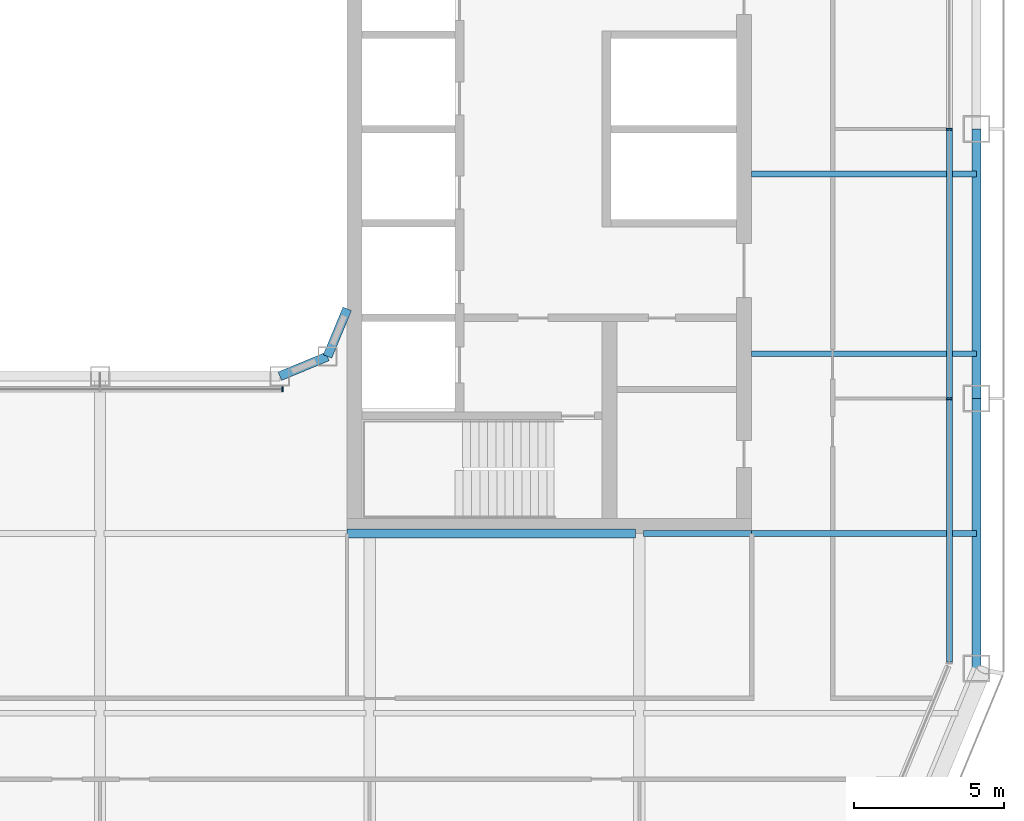
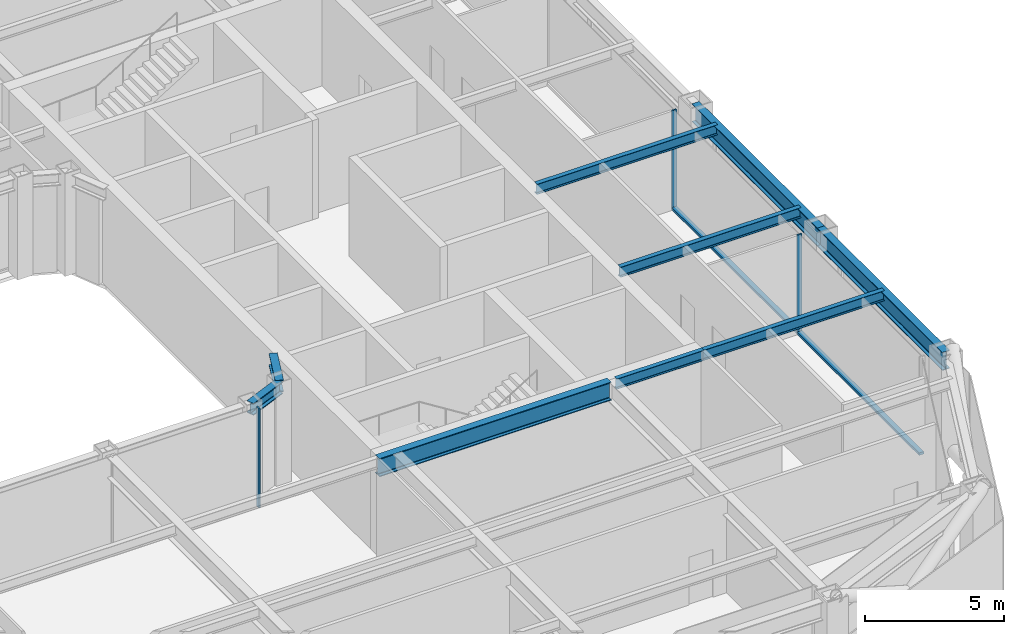
# One storey, part 5 of 23: 9 beams, 5 members, 2 elements without a shape of their own.
"""IFC4 building model written with IfcOpenShell, lengths in metres."""

import ifcopenshell
import ifcopenshell.guid

model = None  # the IFC model being written
_history = None  # IfcOwnerHistory: only IFC2X3 demands one
_inside = {}  # id of a spatial element -> (the spatial element, [elements in it])
_under = {}  # id of a project, library or spatial element -> (it, [spatial elements below it])
_declared = {}  # id of a project -> (the project, [libraries it declares])
_typed = {}  # id of a type object -> (the type object, [elements of that type])
_made_of = {}  # id of a material, layer set ... -> (it, [elements and type objects made of it])


def new_model(schema):
    """Start an empty IFC model of exactly this schema.

    Asked for "IFC4X3", IfcOpenShell would pick the latest addendum, in which some entities
    have other attributes; the version numbers below select the first issue.
    IFC2X3 requires an IfcOwnerHistory on every rooted entity: one is made here for all.
    """
    global model, _history
    if schema == "IFC4X3":
        model = ifcopenshell.file(schema_version=(4, 3, 0, 0))
    else:
        model = ifcopenshell.file(schema=schema)
    _inside.clear()
    _under.clear()
    _declared.clear()
    _typed.clear()
    _made_of.clear()
    _history = None
    if model.schema == "IFC2X3":
        org = make("IfcOrganization", Name="unknown")
        user = make(
            "IfcPersonAndOrganization",
            ThePerson=make("IfcPerson", FamilyName="unknown"),
            TheOrganization=org,
        )
        app = make(
            "IfcApplication",
            ApplicationDeveloper=org,
            Version="unknown",
            ApplicationFullName="unknown",
            ApplicationIdentifier="unknown",
        )
        _history = make(
            "IfcOwnerHistory",
            OwningUser=user,
            OwningApplication=app,
            ChangeAction="ADDED",
            CreationDate=0,
        )
    return model


def make(cls, **values):
    """One entity of the class cls with the attributes given. An attribute that is None is left unset."""
    return model.create_entity(
        cls, **{name: value for name, value in values.items() if value is not None}
    )


def rooted(cls, **values):
    """An entity with a GlobalId (a new one), such as an element, a storey or a relation."""
    return make(cls, GlobalId=ifcopenshell.guid.new(), OwnerHistory=_history, **values)


def si_unit(unit_type, name, prefix=None):
    """IfcSIUnit, for example si_unit("LENGTHUNIT", "METRE", prefix="MILLI")."""
    return make("IfcSIUnit", UnitType=unit_type, Prefix=prefix, Name=name)


def assignment(units):
    """IfcUnitAssignment: the units of a project."""
    return None if units is None else make("IfcUnitAssignment", Units=units)


def point(xyz):
    """IfcCartesianPoint."""
    return None if xyz is None else make("IfcCartesianPoint", Coordinates=xyz)


def direction(xyz):
    """IfcDirection."""
    return None if xyz is None else make("IfcDirection", DirectionRatios=xyz)


def frame(location, z_axis=None, x_axis=None):
    """IfcAxis2Placement3D, a coordinate frame: its origin and axes. An axis left out is left unset."""
    return make(
        "IfcAxis2Placement3D",
        Location=point(location),
        Axis=direction(z_axis),
        RefDirection=direction(x_axis),
    )


def frame_2d(location, x_axis=None):
    """IfcAxis2Placement2D, a coordinate frame in the plane: its origin and x axis."""
    return make(
        "IfcAxis2Placement2D", Location=point(location), RefDirection=direction(x_axis)
    )


def origin():
    """The frame at (0, 0, 0) with its axes left unset."""
    return frame((0.0, 0.0, 0.0))


def origin_2d():
    """The frame at (0, 0) in the plane with its x axis left unset."""
    return frame_2d((0.0, 0.0))


def place(relative_to, where):
    """IfcLocalPlacement: puts the frame where relative to a parent placement (None: the world)."""
    return make(
        "IfcLocalPlacement", PlacementRelTo=relative_to, RelativePlacement=where
    )


def context(
    kind, dimensions, precision=None, world=None, true_north=None, identifier=None
):
    """IfcGeometricRepresentationContext, for example the 3D "Model" context."""
    return make(
        "IfcGeometricRepresentationContext",
        ContextIdentifier=identifier,
        ContextType=kind,
        CoordinateSpaceDimension=dimensions,
        Precision=precision,
        WorldCoordinateSystem=world,
        TrueNorth=true_north,
    )


def subcontext(parent, identifier, kind, view, scale=None):
    """IfcGeometricRepresentationSubContext, for example "Body" below "Model"."""
    return make(
        "IfcGeometricRepresentationSubContext",
        ContextIdentifier=identifier,
        ContextType=kind,
        ParentContext=parent,
        TargetScale=scale,
        TargetView=view,
    )


def project(units=None, contexts=None):
    """IfcProject with its units and contexts."""
    return rooted(
        "IfcProject",
        Name="project",
        RepresentationContexts=contexts,
        UnitsInContext=assignment(units),
    )


def spatial(cls, under=None, at=None, **own):
    """A site, building, storey or space (cls), placed at a placement, below another one or the project."""
    s = rooted(cls, ObjectPlacement=at, **own)
    if under is not None:
        _under.setdefault(under.id(), (under, []))[1].append(s)
    return s


def profile(cls, at=None, kind="AREA", **sizes):
    """A parametric profile (cls). Its sizes go by their IFC names, for example OverallWidth=200.0."""
    return make(cls, ProfileType=kind, Position=at, **sizes)


def rectangle(**sizes):
    """IfcRectangleProfileDef."""
    return profile("IfcRectangleProfileDef", **sizes)


def i_section(**sizes):
    """IfcIShapeProfileDef."""
    return profile("IfcIShapeProfileDef", **sizes)


def extrude(swept, where, along, depth):
    """IfcExtrudedAreaSolid: the profile swept, set in the frame where, extruded along a direction by depth."""
    return make(
        "IfcExtrudedAreaSolid",
        SweptArea=swept,
        Position=where,
        ExtrudedDirection=direction(along),
        Depth=depth,
    )


def shape(context_of_items, identifier, shape_type, items):
    """IfcShapeRepresentation: the items that make up one representation, for example the "Body"."""
    return make(
        "IfcShapeRepresentation",
        ContextOfItems=context_of_items,
        RepresentationIdentifier=identifier,
        RepresentationType=shape_type,
        Items=items,
    )


def material(Name=None, Category=None):
    """IfcMaterial."""
    return make("IfcMaterial", Name=Name, Category=Category)


def layer(
    of_material, thickness, ventilated=None, Name=None, Category=None, Priority=None
):
    """IfcMaterialLayer: one layer of a wall or slab, of a material (None: an air gap)."""
    return make(
        "IfcMaterialLayer",
        Material=of_material,
        LayerThickness=thickness,
        IsVentilated=ventilated,
        Name=Name,
        Category=Category,
        Priority=Priority,
    )


def layer_set(layers, Name=None):
    """IfcMaterialLayerSet."""
    return make("IfcMaterialLayerSet", MaterialLayers=layers, LayerSetName=Name)


def material_profile(
    of_material, cross_section, Name=None, Category=None, Priority=None
):
    """IfcMaterialProfile: a cross section and its material."""
    return make(
        "IfcMaterialProfile",
        Name=Name,
        Material=of_material,
        Profile=cross_section,
        Priority=Priority,
        Category=Category,
    )


def profile_set(profiles, Name=None, composite=None):
    """IfcMaterialProfileSet."""
    return make(
        "IfcMaterialProfileSet",
        Name=Name,
        MaterialProfiles=profiles,
        CompositeProfile=composite,
    )


def made_of(thing, what):
    """Note that an element or type object is made of a material, layer set ...; save() writes the relation."""
    if what is not None:
        _made_of.setdefault(what.id(), (what, []))[1].append(thing)
    return thing


def type_object(cls, material=None, **own):
    """A type object (cls), such as IfcWallType, which elements share."""
    return made_of(rooted(cls, **own), material)


def element(
    cls,
    number,
    at=None,
    inside=None,
    cuts=None,
    type_object=None,
    material=None,
    context=None,
    identifier="Body",
    shape_type=None,
    held_by="IfcProductDefinitionShape",
    body=None,
    shapes=None,
    **own,
):
    """One element of the class cls, such as IfcWall. Its Tag is "e" and its number.

    at: its placement. inside: the storey or other place that contains it. cuts: it is an
    opening in that element (IfcRelVoidsElement). A single representation is given by context,
    identifier, shape_type and body (its items); several are given by shapes. held_by: the class
    of the entity that holds the representations. save() writes the other relations.
    """
    e = rooted(cls, Tag="e%d" % number, ObjectPlacement=at, **own)
    if body is not None:
        shapes = [shape(context, identifier, shape_type, body)]
    if shapes is not None:
        e.Representation = make(held_by, Representations=shapes)
    if inside is not None:
        _inside.setdefault(inside.id(), (inside, []))[1].append(e)
    if cuts is not None:
        rooted(
            "IfcRelVoidsElement", RelatingBuildingElement=cuts, RelatedOpeningElement=e
        )
    if type_object is not None:
        _typed.setdefault(type_object.id(), (type_object, []))[1].append(e)
    return made_of(e, material)


def aggregate(whole, parts):
    """IfcRelAggregates: a whole, such as a stair, and the parts it consists of."""
    return rooted("IfcRelAggregates", RelatingObject=whole, RelatedObjects=parts)


def save(model, path):
    """Write the relations noted so far, then the file.

    IfcRelAggregates (storeys below a building ...), IfcRelContainedInSpatialStructure (elements
    in a storey), IfcRelDefinesByType, IfcRelAssociatesMaterial and IfcRelDeclares: one each for
    every whole, place, type object, material and project.
    """
    for whole, parts in _under.values():
        aggregate(whole, parts)
    for where, things in _inside.values():
        rooted(
            "IfcRelContainedInSpatialStructure",
            RelatedElements=things,
            RelatingStructure=where,
        )
    for kind, things in _typed.values():
        rooted("IfcRelDefinesByType", RelatedObjects=things, RelatingType=kind)
    for what, things in _made_of.values():
        rooted("IfcRelAssociatesMaterial", RelatedObjects=things, RelatingMaterial=what)
    for by, libraries in _declared.values():
        rooted("IfcRelDeclares", RelatingContext=by, RelatedDefinitions=libraries)
    model.write(path)


model = new_model("IFC4")

# Units and contexts
model_context = context("Model", 3, precision=1e-05, world=origin(), true_north=direction((0.0, 1.0)))
body_context = subcontext(model_context, "Body", "Model", "MODEL_VIEW")
ifc_project = project(units=[si_unit("LENGTHUNIT", "METRE"), si_unit("AREAUNIT", "SQUARE_METRE"), si_unit("VOLUMEUNIT", "CUBIC_METRE"), si_unit("PLANEANGLEUNIT", "RADIAN"), si_unit("MASSUNIT", "GRAM", prefix="KILO")], contexts=[model_context])

# Site, building, storey
site_placement = place(None, origin())
site = spatial("IfcSite", under=ifc_project, at=site_placement, CompositionType="ELEMENT")
building_placement = place(site_placement, origin())
building = spatial("IfcBuilding", under=site, at=building_placement, Name="Siwar Civic Tower", CompositionType="ELEMENT")
storey_placement = place(building_placement, frame((0.0, 0.0, 172.199951171875)))
storey = spatial("IfcBuildingStorey", under=building, at=storey_placement, Name="L37", CompositionType="ELEMENT", Elevation=172.199951171875)

# Curtain wall, members
ifc_material_1 = material(Name="Aluminium and glass", Category="aluminium")
ifc_layer_1 = layer(ifc_material_1, 0.199951171875)
ifc_layer_set_1 = layer_set([ifc_layer_1], Name="Aluminium and glass")
curtain_wall_type_1 = type_object("IfcCurtainWallType", Name="ENV-CW-B", PredefinedType="NOTDEFINED", material=ifc_layer_set_1)
curtain_wall_1_placement = place(storey_placement, origin())
curtain_wall_1 = element("IfcCurtainWall", 1, at=curtain_wall_1_placement, inside=storey, type_object=curtain_wall_type_1, Name="Curtain wall B E", PredefinedType="NOTDEFINED")
ifc_material_2 = material(Name="Aluminium 6063-T6", Category="aluminium")
ifc_material_profile_1 = material_profile(ifc_material_2, rectangle(XDim=0.199951171875, YDim=0.06494140625, at=origin_2d()), Name="AL 200x65")
ifc_profile_set_1 = profile_set([ifc_material_profile_1], Name="Aluminium 6063-T6")
member_type_1 = type_object("IfcMemberType", Name="ENV-MULLION-B", PredefinedType="MULLION", material=ifc_profile_set_1)
member_1_placement = place(storey_placement, frame((28.35009765625, -9.0, 0.0), z_axis=(0.0, 0.0, 1.0), x_axis=(-1.0, 0.0, 0.0)))
member_1 = element("IfcMember", 2, at=member_1_placement, type_object=member_type_1, Name="Mullion B E 2", PredefinedType="MULLION", context=body_context, shape_type="SweptSolid", body=[
    extrude(rectangle(XDim=0.199951171875, YDim=0.06494140625, at=origin_2d()), origin(), (0.0, 0.0, 1.0), 4.35009765625),
])
member_2_placement = place(storey_placement, frame((28.35009765625, 0.0, 0.0), z_axis=(0.0, 0.0, 1.0), x_axis=(-1.0, 0.0, 0.0)))
member_2 = element("IfcMember", 3, at=member_2_placement, type_object=member_type_1, Name="Mullion B E 3", PredefinedType="MULLION", context=body_context, shape_type="SweptSolid", body=[
    extrude(rectangle(XDim=0.199951171875, YDim=0.06494140625, at=origin_2d()), origin(), (0.0, 0.0, 1.0), 4.35009765625),
])

# Curtain wall, member
ifc_material_3 = material(Name="Aluminium and glass", Category="aluminium")
ifc_layer_2 = layer(ifc_material_3, 0.179931640625)
ifc_layer_set_2 = layer_set([ifc_layer_2], Name="Aluminium and glass")
curtain_wall_type_2 = type_object("IfcCurtainWallType", Name="ENV-CW-W", PredefinedType="NOTDEFINED", material=ifc_layer_set_2)
curtain_wall_2_placement = place(storey_placement, origin())
curtain_wall_2 = element("IfcCurtainWall", 4, at=curtain_wall_2_placement, inside=storey, type_object=curtain_wall_type_2, Name="Curtain wall W WS", PredefinedType="NOTDEFINED")
ifc_material_4 = material(Name="Aluminium 6063-T6", Category="aluminium")
ifc_material_profile_2 = material_profile(ifc_material_4, rectangle(XDim=0.179931640625, YDim=0.06005859375, at=origin_2d()), Name="AL 180x60")
ifc_profile_set_2 = profile_set([ifc_material_profile_2], Name="Aluminium 6063-T6")
member_type_2 = type_object("IfcMemberType", Name="ENV-MULLION-W", PredefinedType="MULLION", material=ifc_profile_set_2)
member_3_placement = place(storey_placement, frame((6.08642578125, -8.68505859375, 0.0), z_axis=(0.0, 0.0, 1.0), x_axis=(0.0, 1.0, 0.0)))
member_3 = element("IfcMember", 5, at=member_3_placement, type_object=member_type_2, Name="Mullion W WS 3", PredefinedType="MULLION", context=body_context, shape_type="SweptSolid", body=[
    extrude(rectangle(XDim=0.179931640625, YDim=0.06005859375, at=origin_2d()), origin(), (0.0, 0.0, 1.0), 4.35009765625),
])
aggregate(curtain_wall_2, [member_3])

# Member
ifc_material_5 = material(Name="Aluminium 6063-T6", Category="aluminium")
ifc_material_profile_3 = material_profile(ifc_material_5, rectangle(XDim=0.199951171875, YDim=0.110107421875, at=origin_2d()), Name="AL 200x110")
ifc_profile_set_3 = profile_set([ifc_material_profile_3], Name="Aluminium 6063-T6")
member_type_3 = type_object("IfcMemberType", Name="ENV-TRANSOM-B", PredefinedType="USERDEFINED", material=ifc_profile_set_3)
member_4_placement = place(storey_placement, frame((28.35009765625, -17.78857421875, 0.054931640625), z_axis=(0.0, 1.0, 0.0), x_axis=(-1.0, 0.0, 0.0)))
member_4 = element("IfcMember", 6, at=member_4_placement, type_object=member_type_3, Name="Transom B E 1", ObjectType="TRANSOM", PredefinedType="USERDEFINED", context=body_context, shape_type="SweptSolid", body=[
    extrude(rectangle(XDim=0.199951171875, YDim=0.110107421875, at=origin_2d()), origin(), (0.0, 0.0, 1.0), 8.756103515625),
])

member_5_placement = place(storey_placement, frame((28.35009765625, -8.967529296875, 0.054931640625), z_axis=(0.0, 1.0, 0.0), x_axis=(-1.0, 0.0, 0.0)))
member_5 = element("IfcMember", 7, at=member_5_placement, type_object=member_type_3, Name="Transom B E 2", ObjectType="TRANSOM", PredefinedType="USERDEFINED", context=body_context, shape_type="SweptSolid", body=[
    extrude(rectangle(XDim=0.199951171875, YDim=0.110107421875, at=origin_2d()), origin(), (0.0, 0.0, 1.0), 8.93505859375),
])

aggregate(curtain_wall_1, [member_1, member_2, member_4, member_5])

# Beams
ifc_material_6 = material(Name="Steel S355", Category="steel")
ifc_material_profile_4 = material_profile(ifc_material_6, i_section(OverallWidth=0.18994140625, OverallDepth=0.449951171875, WebThickness=0.009521484375, FlangeThickness=0.0146484375, FilletRadius=0.02099609375, at=origin_2d()), Name="IPE450")
ifc_profile_set_4 = profile_set([ifc_material_profile_4], Name="Steel S355")
beam_type_1 = type_object("IfcBeamType", Name="STR-FB-IPE450", PredefinedType="JOIST", material=ifc_profile_set_4)
beam_1_placement = place(storey_placement, frame((18.1298828125, -13.5, 4.125), z_axis=(1.0, 0.0, 0.0), x_axis=(0.0, 1.0, 0.0)))
element("IfcBeam", 8, at=beam_1_placement, inside=storey, type_object=beam_type_1, Name="L37/bm/F019", PredefinedType="JOIST", context=body_context, shape_type="SweptSolid", body=[
    extrude(i_section(OverallWidth=0.18994140625, OverallDepth=0.449951171875, WebThickness=0.009521484375, FlangeThickness=0.0146484375, FilletRadius=0.02099609375, at=origin_2d()), origin(), (0.0, 0.0, 1.0), 3.6201171875),
])
for number, where, z_axis, x_axis, name in (
    (9, (21.75, -13.5, 4.125), (1.0, 0.0, 0.0), (0.0, 1.0, 0.0), "L37/bm/F020"),
    (10, (21.75, -7.5, 4.125), (1.0, 0.0, 0.0), (0.0, 1.0, 0.0), "L37/bm/F022"),
    (11, (21.75, -1.5, 4.125), (1.0, 0.0, 0.0), (0.0, 1.0, 0.0), "L37/bm/F024"),
):
    element("IfcBeam", number, at=place(storey_placement, frame(where, z_axis=z_axis, x_axis=x_axis)), inside=storey, type_object=beam_type_1, Name=name, PredefinedType="JOIST", context=body_context, shape_type="SweptSolid", body=[
        extrude(i_section(OverallWidth=0.18994140625, OverallDepth=0.449951171875, WebThickness=0.009521484375, FlangeThickness=0.0146484375, FilletRadius=0.02099609375, at=origin_2d()), origin(), (0.0, 0.0, 1.0), 7.5),
    ])
ifc_material_7 = material(Name="Steel S355", Category="steel")
ifc_material_profile_5 = material_profile(ifc_material_7, i_section(OverallWidth=0.300048828125, OverallDepth=0.800048828125, WebThickness=0.017578125, FlangeThickness=0.032958984375, FilletRadius=0.030029296875, at=origin_2d()), Name="HEB800")
ifc_profile_set_5 = profile_set([ifc_material_profile_5], Name="Steel S355")
beam_type_2 = type_object("IfcBeamType", Name="STR-PG-HEB800", PredefinedType="BEAM", material=ifc_profile_set_5)
beam_2_placement = place(storey_placement, frame((8.25, -13.5, 3.949951171875), z_axis=(1.0, 0.0, 0.0), x_axis=(0.0, 1.0, 0.0)))
element("IfcBeam", 12, at=beam_2_placement, inside=storey, type_object=beam_type_2, Name="L37/bm/F018", PredefinedType="BEAM", context=body_context, shape_type="SweptSolid", body=[
    extrude(i_section(OverallWidth=0.300048828125, OverallDepth=0.800048828125, WebThickness=0.017578125, FlangeThickness=0.032958984375, FilletRadius=0.030029296875, at=origin_2d()), origin(), (0.0, 0.0, 1.0), 9.6201171875),
])
ifc_material_8 = material(Name="Steel S355", Category="steel")
ifc_material_profile_6 = material_profile(ifc_material_8, i_section(OverallWidth=0.305908203125, OverallDepth=0.52392578125, WebThickness=0.02099609375, FlangeThickness=0.0400390625, FilletRadius=0.027099609375, at=origin_2d()), Name="HEM500")
ifc_profile_set_6 = profile_set([ifc_material_profile_6], Name="Steel S355")
beam_type_3 = type_object("IfcBeamType", Name="STR-RB-HEM500", PredefinedType="BEAM", material=ifc_profile_set_6)
for number, where, z_axis, x_axis, name in (
    (13, (6.0, -8.25, 4.088134765625), (0.923901072997, 0.382631424892, 0.0), (-0.382631424892, 0.923901072997, 0.0), "L37/bm/RS3"),
    (14, (7.591064453125, -7.591064453125, 4.088134765625), (0.382631424892, 0.923901072997, 0.0), (-0.923901072997, 0.382631424892, 0.0), "L37/bm/RSEE"),
):
    element("IfcBeam", number, at=place(storey_placement, frame(where, z_axis=z_axis, x_axis=x_axis)), inside=storey, type_object=beam_type_3, Name=name, PredefinedType="BEAM", context=body_context, shape_type="SweptSolid", body=[
        extrude(i_section(OverallWidth=0.305908203125, OverallDepth=0.52392578125, WebThickness=0.02099609375, FlangeThickness=0.0400390625, FilletRadius=0.027099609375, at=origin_2d()), origin(), (0.0, 0.0, 1.0), 1.72216796875),
    ])
ifc_material_9 = material(Name="Steel S355", Category="steel")
ifc_material_profile_7 = material_profile(ifc_material_9, i_section(OverallWidth=0.300048828125, OverallDepth=0.800048828125, WebThickness=0.017578125, FlangeThickness=0.032958984375, FilletRadius=0.030029296875, at=origin_2d()), Name="HEB800")
ifc_profile_set_7 = profile_set([ifc_material_profile_7], Name="Steel S355")
beam_type_4 = type_object("IfcBeamType", Name="STR-SB-HEB800", PredefinedType="BEAM", material=ifc_profile_set_7)
for number, where, z_axis, x_axis, name in (
    (15, (29.25, -18.0, 3.949951171875), (0.0, 1.0, 0.0), (-1.0, 0.0, 0.0), "L37/bm/SE-0"),
    (16, (29.25, -9.0, 3.949951171875), (0.0, 1.0, 0.0), (-1.0, 0.0, 0.0), "L37/bm/SE-1"),
):
    element("IfcBeam", number, at=place(storey_placement, frame(where, z_axis=z_axis, x_axis=x_axis)), inside=storey, type_object=beam_type_4, Name=name, PredefinedType="BEAM", context=body_context, shape_type="SweptSolid", body=[
        extrude(i_section(OverallWidth=0.300048828125, OverallDepth=0.800048828125, WebThickness=0.017578125, FlangeThickness=0.032958984375, FilletRadius=0.030029296875, at=origin_2d()), origin(), (0.0, 0.0, 1.0), 9.0),
    ])

save(model, "model.ifc")
